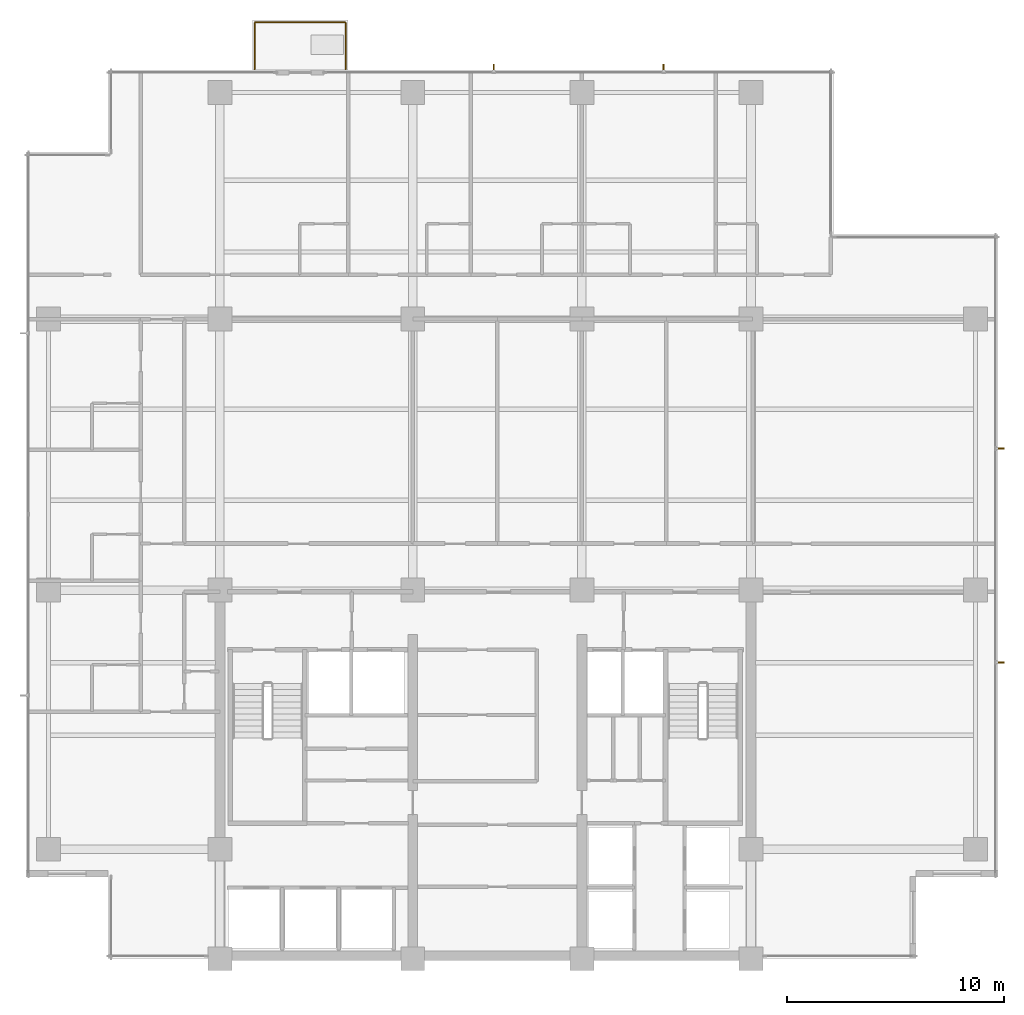
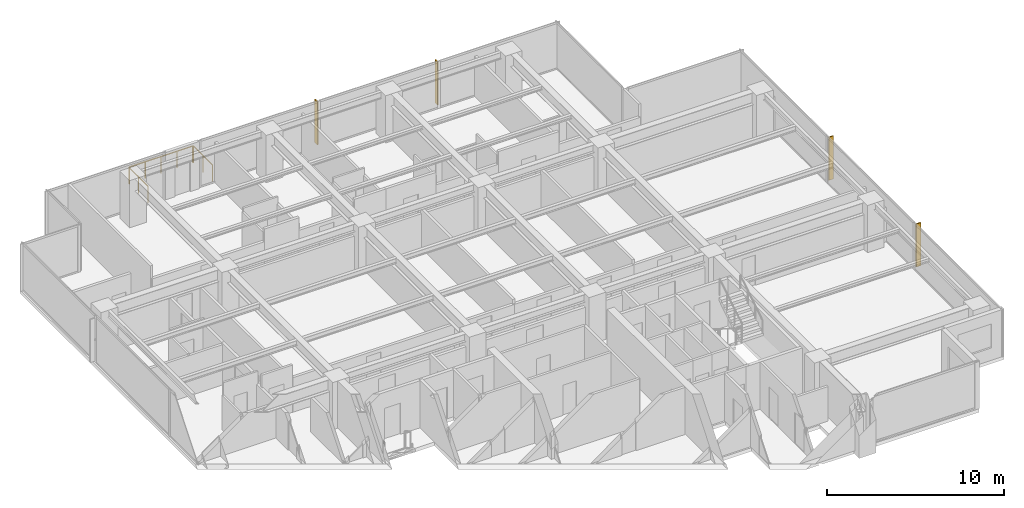
# One storey, part 14 of 14: 4 shading devices, 3 railings.
"""IFC4 building model written with IfcOpenShell, lengths in metres."""

from ifc_helpers import new_model, si_unit, direction, frame, origin, origin_2d, place, context, subcontext, project, spatial, polyline, circle, outline, extrude, material, layer, layer_set, type_object, element, save


model = new_model("IFC4")

# Units and contexts
model_context = context("Model", 3, precision=1e-05, world=origin(), true_north=direction((0.0, 1.0)))
body_context = subcontext(model_context, "Body", "Model", "MODEL_VIEW")
ifc_project = project(units=[si_unit("LENGTHUNIT", "METRE"), si_unit("AREAUNIT", "SQUARE_METRE"), si_unit("VOLUMEUNIT", "CUBIC_METRE"), si_unit("PLANEANGLEUNIT", "RADIAN"), si_unit("MASSUNIT", "GRAM", prefix="KILO")], contexts=[model_context])

# Site, building, storey
site_placement = place(None, origin())
site = spatial("IfcSite", under=ifc_project, at=site_placement, CompositionType="ELEMENT")
building_placement = place(site_placement, origin())
building = spatial("IfcBuilding", under=site, at=building_placement, Name="Qalmaran Belvedere Hotel", CompositionType="ELEMENT")
storey_placement = place(building_placement, frame((0.0, 0.0, 156.10009765625)))
storey = spatial("IfcBuildingStorey", under=building, at=storey_placement, Name="L39", CompositionType="ELEMENT", Elevation=156.10009765625)

# Shading devices
ifc_material = material(Name="Anodised Bronze Aluminium", Category="aluminium")
ifc_layer = layer(ifc_material, 0.06494140625, Name="Anodised Bronze Aluminium")
ifc_layer_set = layer_set([ifc_layer], Name="Anodised Bronze Aluminium")
shading_device_type = type_object("IfcShadingDeviceType", Name="FIN-BRNZ-300", PredefinedType="USERDEFINED", material=ifc_layer_set)
shading_device_1_placement = place(storey_placement, frame((0.0, 0.0, 0.159912109375)))
element("IfcShadingDevice", 1, at=shading_device_1_placement, inside=storey, type_object=shading_device_type, Name="L39 Bronze Fin 1", ObjectType="FIN", PredefinedType="USERDEFINED", context=body_context, shape_type="SweptSolid", body=[
    extrude(outline(polyline([(56.169921875, 17.13427734375), (56.469970703125, 17.13427734375), (56.469970703125, 17.19921875), (56.169921875, 17.19921875), (56.169921875, 17.13427734375)])), origin(), (0.0, 0.0, 1.0), 2.969970703125),
])
shading_device_2_placement = place(storey_placement, frame((0.0, 0.0, 0.159912109375)))
element("IfcShadingDevice", 2, at=shading_device_2_placement, inside=storey, type_object=shading_device_type, Name="L39 Bronze Fin 2", ObjectType="FIN", PredefinedType="USERDEFINED", context=body_context, shape_type="SweptSolid", body=[
    extrude(outline(polyline([(56.169921875, 27.000732421875), (56.469970703125, 27.000732421875), (56.469970703125, 27.06591796875), (56.169921875, 27.06591796875), (56.169921875, 27.000732421875)])), origin(), (0.0, 0.0, 1.0), 2.969970703125),
])
shading_device_3_placement = place(storey_placement, frame((0.0, 0.0, 0.159912109375)))
element("IfcShadingDevice", 3, at=shading_device_3_placement, inside=storey, type_object=shading_device_type, Name="L39 Bronze Fin 1", ObjectType="FIN", PredefinedType="USERDEFINED", context=body_context, shape_type="SweptSolid", body=[
    extrude(outline(polyline([(40.79931640625, 44.469970703125), (40.79931640625, 44.77001953125), (40.734130859375, 44.77001953125), (40.734130859375, 44.469970703125), (40.79931640625, 44.469970703125)])), origin(), (0.0, 0.0, 1.0), 2.969970703125),
])
shading_device_4_placement = place(storey_placement, frame((0.0, 0.0, 0.159912109375)))
element("IfcShadingDevice", 4, at=shading_device_4_placement, inside=storey, type_object=shading_device_type, Name="L39 Bronze Fin 2", ObjectType="FIN", PredefinedType="USERDEFINED", context=body_context, shape_type="SweptSolid", body=[
    extrude(outline(polyline([(32.9658203125, 44.469970703125), (32.9658203125, 44.77001953125), (32.90087890625, 44.77001953125), (32.90087890625, 44.469970703125), (32.9658203125, 44.469970703125)])), origin(), (0.0, 0.0, 1.0), 2.969970703125),
])

# Railings
railing_type = type_object("IfcRailingType", Name="GRD-BAL-1150", PredefinedType="BALUSTRADE", material=ifc_material)
railing_1_placement = place(storey_placement, frame((21.89990234375, 44.534912109375, 0.0)))
element("IfcRailing", 5, at=railing_1_placement, inside=storey, type_object=railing_type, Name="L39 Guardrail BAL-L39-N-1", PredefinedType="BALUSTRADE", context=body_context, shape_type="SweptSolid", body=[
    extrude(circle(Radius=0.02392578125, at=origin_2d()), frame((0.0, 0.0, 1.1259765625), z_axis=(0.0, 1.0, 0.0), x_axis=(-1.0, 0.0, 0.0)), (0.0, 0.0, 1.0), 2.130126953125),
    extrude(circle(Radius=0.02099609375, at=origin_2d()), origin(), (0.0, 0.0, 1.0), 1.101806640625),
    extrude(circle(Radius=0.02099609375, at=origin_2d()), frame((0.0, 1.06494140625, 0.0)), (0.0, 0.0, 1.0), 1.101806640625),
    extrude(circle(Radius=0.02099609375, at=origin_2d()), frame((0.0, 2.130126953125, 0.0)), (0.0, 0.0, 1.0), 1.101806640625),
])
railing_2_placement = place(storey_placement, frame((21.93505859375, 46.699951171875, 0.0)))
element("IfcRailing", 6, at=railing_2_placement, inside=storey, type_object=railing_type, Name="L39 Guardrail BAL-L39-N-2", PredefinedType="BALUSTRADE", context=body_context, shape_type="SweptSolid", body=[
    extrude(circle(Radius=0.02392578125, at=origin_2d()), frame((0.0, 0.0, 1.1259765625), z_axis=(1.0, 0.0, 0.0), x_axis=(0.0, 1.0, 0.0)), (0.0, 0.0, 1.0), 4.1298828125),
    extrude(circle(Radius=0.02099609375, at=origin_2d()), origin(), (0.0, 0.0, 1.0), 1.101806640625),
    extrude(circle(Radius=0.02099609375, at=origin_2d()), frame((1.032470703125, 0.0, 0.0)), (0.0, 0.0, 1.0), 1.101806640625),
    extrude(circle(Radius=0.02099609375, at=origin_2d()), frame((2.06494140625, 0.0, 0.0)), (0.0, 0.0, 1.0), 1.101806640625),
    extrude(circle(Radius=0.02099609375, at=origin_2d()), frame((3.097412109375, 0.0, 0.0)), (0.0, 0.0, 1.0), 1.101806640625),
    extrude(circle(Radius=0.02099609375, at=origin_2d()), frame((4.1298828125, 0.0, 0.0)), (0.0, 0.0, 1.0), 1.101806640625),
])
railing_3_placement = place(storey_placement, frame((26.10009765625, 46.6650390625, 0.0)))
element("IfcRailing", 7, at=railing_3_placement, inside=storey, type_object=railing_type, Name="L39 Guardrail BAL-L39-N-3", PredefinedType="BALUSTRADE", context=body_context, shape_type="SweptSolid", body=[
    extrude(circle(Radius=0.02392578125, at=origin_2d()), frame((0.0, 0.0, 1.1259765625), z_axis=(0.0, -1.0, 0.0), x_axis=(1.0, 0.0, 0.0)), (0.0, 0.0, 1.0), 2.130126953125),
    extrude(circle(Radius=0.02099609375, at=origin_2d()), origin(), (0.0, 0.0, 1.0), 1.101806640625),
    extrude(circle(Radius=0.02099609375, at=origin_2d()), frame((0.0, -1.06494140625, 0.0)), (0.0, 0.0, 1.0), 1.101806640625),
    extrude(circle(Radius=0.02099609375, at=origin_2d()), frame((0.0, -2.130126953125, 0.0)), (0.0, 0.0, 1.0), 1.101806640625),
])

save(model, "model.ifc")
